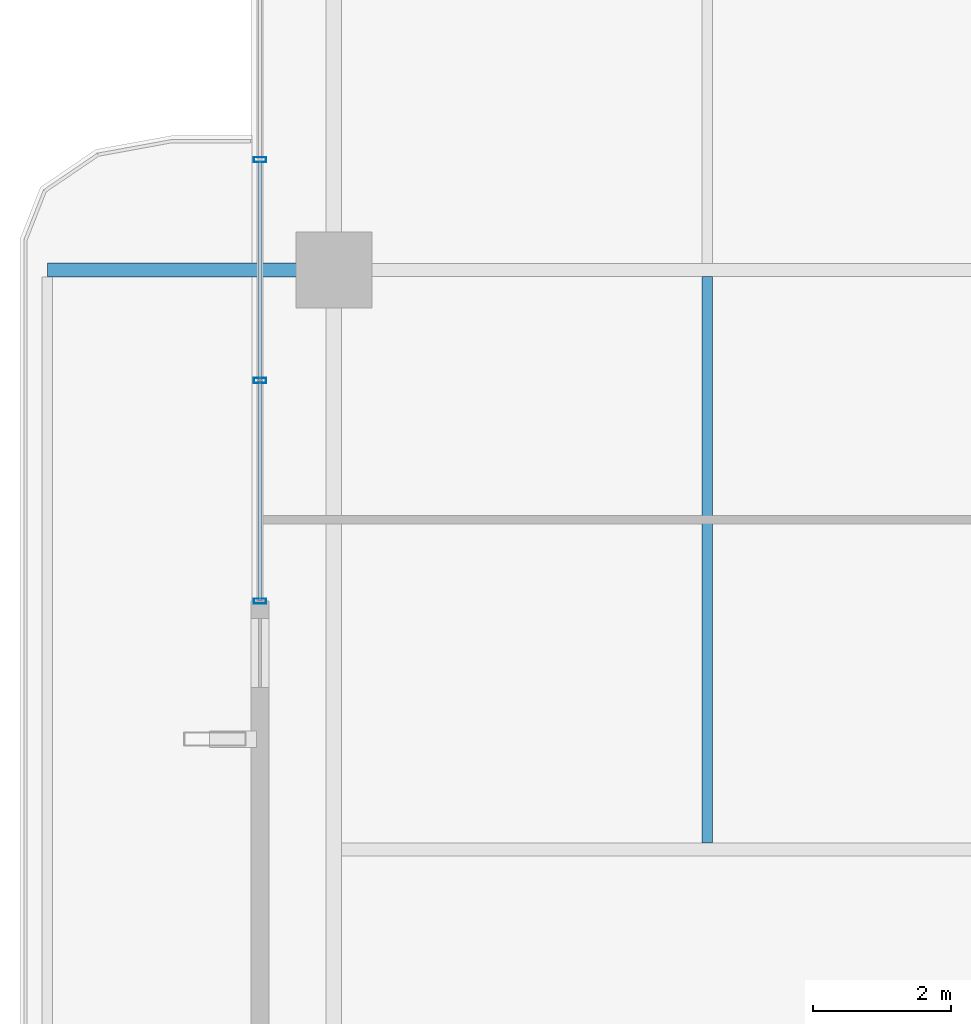
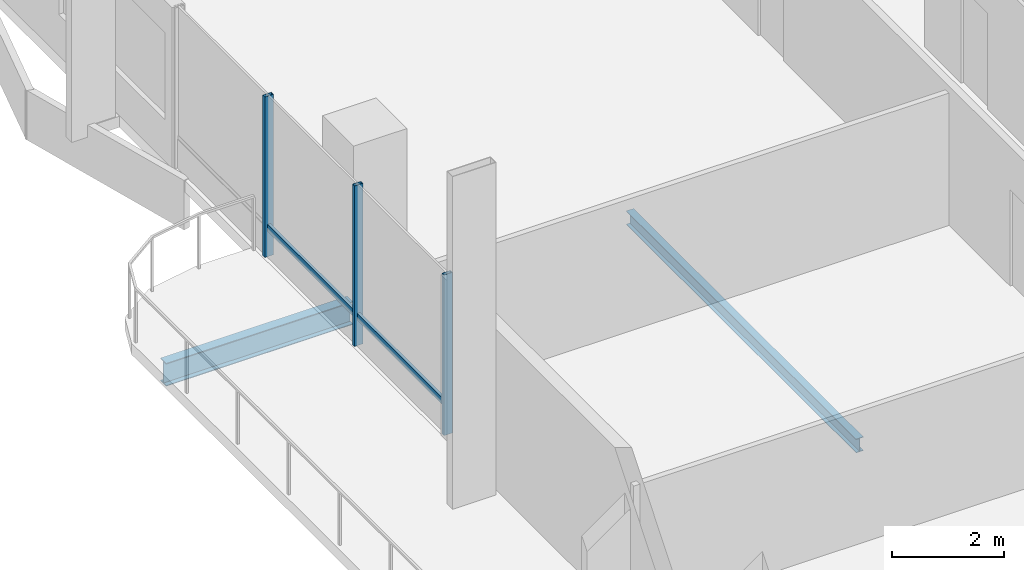
# One storey, part 4 of 24: 5 members, 2 beams, 1 element without a shape of its own.
"""IFC4 building model written with IfcOpenShell, lengths in metres."""

from ifc_helpers import new_model, si_unit, direction, frame, origin, origin_2d, place, context, subcontext, project, spatial, hollow_rectangle, i_section, extrude, material, layer, layer_set, material_profile, profile_set, type_object, element, aggregate, save


model = new_model("IFC4")

# Units and contexts
model_context = context("Model", 3, precision=1e-05, world=origin(), true_north=direction((0.0, 1.0)))
body_context = subcontext(model_context, "Body", "Model", "MODEL_VIEW")
ifc_project = project(units=[si_unit("LENGTHUNIT", "METRE"), si_unit("AREAUNIT", "SQUARE_METRE"), si_unit("VOLUMEUNIT", "CUBIC_METRE"), si_unit("PLANEANGLEUNIT", "RADIAN"), si_unit("MASSUNIT", "GRAM", prefix="KILO")], contexts=[model_context])

# Site, building, storey
site_placement = place(None, origin())
site = spatial("IfcSite", under=ifc_project, at=site_placement, CompositionType="ELEMENT")
building_placement = place(site_placement, origin())
building = spatial("IfcBuilding", under=site, at=building_placement, Name="Belovzor Exchange Tower", CompositionType="ELEMENT")
storey_placement = place(building_placement, frame((0.0, 0.0, 203.699951171875)))
storey = spatial("IfcBuildingStorey", under=building, at=storey_placement, Name="L50", CompositionType="ELEMENT", Elevation=203.699951171875)

# Beams
ifc_material_1 = material(Name="Steel S355", Category="steel")
ifc_material_profile_1 = material_profile(ifc_material_1, i_section(OverallWidth=0.199951171875, OverallDepth=0.5, WebThickness=0.01025390625, FlangeThickness=0.01611328125, at=origin_2d()))
ifc_profile_set_1 = profile_set([ifc_material_profile_1], Name="Steel S355")
beam_type_1 = type_object("IfcBeamType", Name="Planted Balcony Cantilever Beam IPE 500", PredefinedType="BEAM", material=ifc_profile_set_1)
beam_1_placement = place(storey_placement, frame((2.697021484375, 28.800048828125, -0.5), z_axis=(-1.0, 0.0, 0.0), x_axis=(0.0, -1.0, 0.0)))
element("IfcBeam", 1, at=beam_1_placement, inside=storey, type_object=beam_type_1, Name="BC-500 Planted Balcony Cantilever Beam IPE 500", PredefinedType="BEAM", context=body_context, shape_type="SweptSolid", body=[
    extrude(i_section(OverallWidth=0.199951171875, OverallDepth=0.5, WebThickness=0.01025390625, FlangeThickness=0.01611328125, at=origin_2d()), origin(), (0.0, 0.0, 1.0), 3.85009765625),
])
ifc_material_2 = material(Name="Steel S355", Category="steel")
ifc_material_profile_2 = material_profile(ifc_material_2, i_section(OverallWidth=0.14990234375, OverallDepth=0.300048828125, WebThickness=0.007080078125, FlangeThickness=0.0107421875, at=origin_2d()))
ifc_profile_set_2 = profile_set([ifc_material_profile_2], Name="Steel S355")
beam_type_2 = type_object("IfcBeamType", Name="Secondary Trim Floor Joist IPE 300", PredefinedType="BEAM", material=ifc_profile_set_2)
beam_2_placement = place(storey_placement, frame((8.4130859375, 20.4951171875, -0.39990234375), z_axis=(0.0, 1.0, 0.0), x_axis=(-1.0, 0.0, 0.0)))
element("IfcBeam", 2, at=beam_2_placement, inside=storey, type_object=beam_type_2, Name="FJ-300 Secondary Trim Floor Joist IPE 300", PredefinedType="BEAM", context=body_context, shape_type="SweptSolid", body=[
    extrude(i_section(OverallWidth=0.14990234375, OverallDepth=0.300048828125, WebThickness=0.007080078125, FlangeThickness=0.0107421875, at=origin_2d()), origin(), (0.0, 0.0, 1.0), 8.2099609375),
])

# Curtain wall, members
ifc_material_3 = material(Name="Anodised Aluminium Framing", Category="aluminium")
ifc_layer = layer(ifc_material_3, 0.179931640625)
ifc_layer_set = layer_set([ifc_layer], Name="Anodised Aluminium Framing")
curtain_wall_type = type_object("IfcCurtainWallType", Name="Recessed Loggia Low-Iron Triple-Glazed Curtain Wall", PredefinedType="NOTDEFINED", material=ifc_layer_set)
curtain_wall_placement = place(storey_placement, origin())
curtain_wall = element("IfcCurtainWall", 3, at=curtain_wall_placement, inside=storey, type_object=curtain_wall_type, Name="CW3 Recessed Loggia Low-Iron Triple-Glazed Curtain Wall L50", PredefinedType="NOTDEFINED")
ifc_material_4 = material(Name="Steel S355", Category="steel")
ifc_material_profile_3 = material_profile(ifc_material_4, hollow_rectangle(XDim=0.074951171875, YDim=0.179931640625, WallThickness=0.0048828125, at=origin_2d()))
ifc_profile_set_3 = profile_set([ifc_material_profile_3], Name="Steel S355")
member_type_1 = type_object("IfcMemberType", Name="Thermally Broken Curtain Wall Mullion 180x75", PredefinedType="MULLION", material=ifc_profile_set_3)
member_1_placement = place(storey_placement, frame((1.929931640625, 24.0, 0.0), z_axis=(0.0, 0.0, 1.0), x_axis=(0.0, 1.0, 0.0)))
member_1 = element("IfcMember", 4, at=member_1_placement, type_object=member_type_1, Name="CW-M180 Curtain Wall Mullion 1", PredefinedType="MULLION", context=body_context, shape_type="SweptSolid", body=[
    extrude(hollow_rectangle(XDim=0.074951171875, YDim=0.179931640625, WallThickness=0.0048828125, at=origin_2d()), origin(), (0.0, 0.0, 1.0), 3.5),
])
member_2_placement = place(storey_placement, frame((1.929931640625, 27.199951171875, 0.0), z_axis=(0.0, 0.0, 1.0), x_axis=(0.0, 1.0, 0.0)))
member_2 = element("IfcMember", 5, at=member_2_placement, type_object=member_type_1, Name="CW-M180 Curtain Wall Mullion 2", PredefinedType="MULLION", context=body_context, shape_type="SweptSolid", body=[
    extrude(hollow_rectangle(XDim=0.074951171875, YDim=0.179931640625, WallThickness=0.0048828125, at=origin_2d()), origin(), (0.0, 0.0, 1.0), 3.5),
])
member_3_placement = place(storey_placement, frame((1.929931640625, 30.39990234375, 0.0), z_axis=(0.0, 0.0, 1.0), x_axis=(0.0, 1.0, 0.0)))
member_3 = element("IfcMember", 6, at=member_3_placement, type_object=member_type_1, Name="CW-M180 Curtain Wall Mullion 3", PredefinedType="MULLION", context=body_context, shape_type="SweptSolid", body=[
    extrude(hollow_rectangle(XDim=0.074951171875, YDim=0.179931640625, WallThickness=0.0048828125, at=origin_2d()), origin(), (0.0, 0.0, 1.0), 3.5),
])
ifc_material_5 = material(Name="Steel S355", Category="steel")
ifc_material_profile_4 = material_profile(ifc_material_5, hollow_rectangle(XDim=0.06005859375, YDim=0.14990234375, WallThickness=0.00390625, at=origin_2d()))
ifc_profile_set_4 = profile_set([ifc_material_profile_4], Name="Steel S355")
member_type_2 = type_object("IfcMemberType", Name="Thermally Broken Curtain Wall Transom 150x60", PredefinedType="USERDEFINED", material=ifc_profile_set_4)
member_4_placement = place(storey_placement, frame((1.929931640625, 24.008056640625, 0.630126953125), z_axis=(0.0, 1.0, 0.0), x_axis=(-1.0, 0.0, 0.0)))
member_4 = element("IfcMember", 7, at=member_4_placement, type_object=member_type_2, Name="CW-T150 Curtain Wall Transom 1", ObjectType="TRANSOM", PredefinedType="USERDEFINED", context=body_context, shape_type="SweptSolid", body=[
    extrude(hollow_rectangle(XDim=0.06005859375, YDim=0.14990234375, WallThickness=0.00390625, at=origin_2d()), origin(), (0.0, 0.0, 1.0), 3.183837890625),
])
member_5_placement = place(storey_placement, frame((1.929931640625, 27.2080078125, 0.630126953125), z_axis=(0.0, 1.0, 0.0), x_axis=(-1.0, 0.0, 0.0)))
member_5 = element("IfcMember", 8, at=member_5_placement, type_object=member_type_2, Name="CW-T150 Curtain Wall Transom 2", ObjectType="TRANSOM", PredefinedType="USERDEFINED", context=body_context, shape_type="SweptSolid", body=[
    extrude(hollow_rectangle(XDim=0.06005859375, YDim=0.14990234375, WallThickness=0.00390625, at=origin_2d()), origin(), (0.0, 0.0, 1.0), 3.18408203125),
])
aggregate(curtain_wall, [member_1, member_2, member_3, member_4, member_5])

save(model, "model.ifc")
